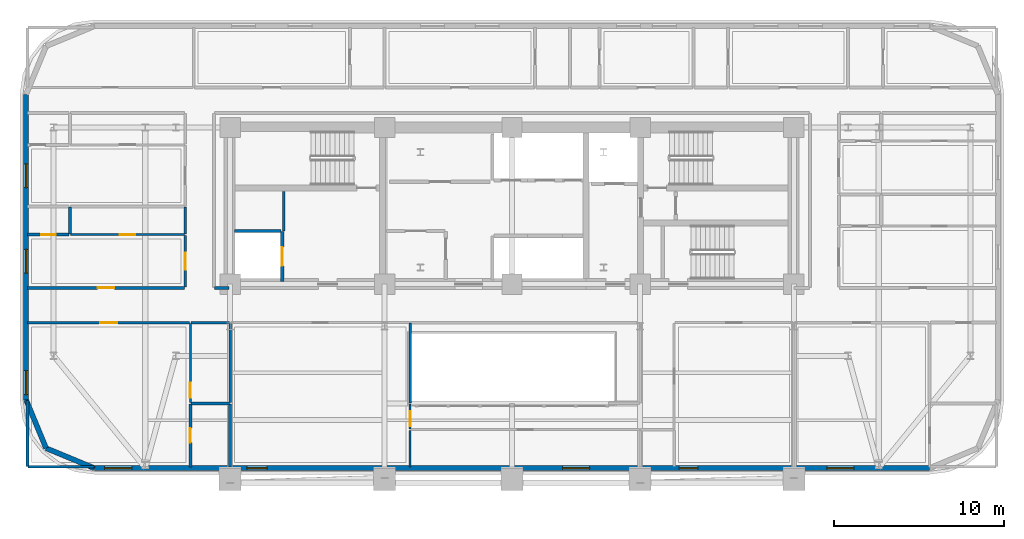
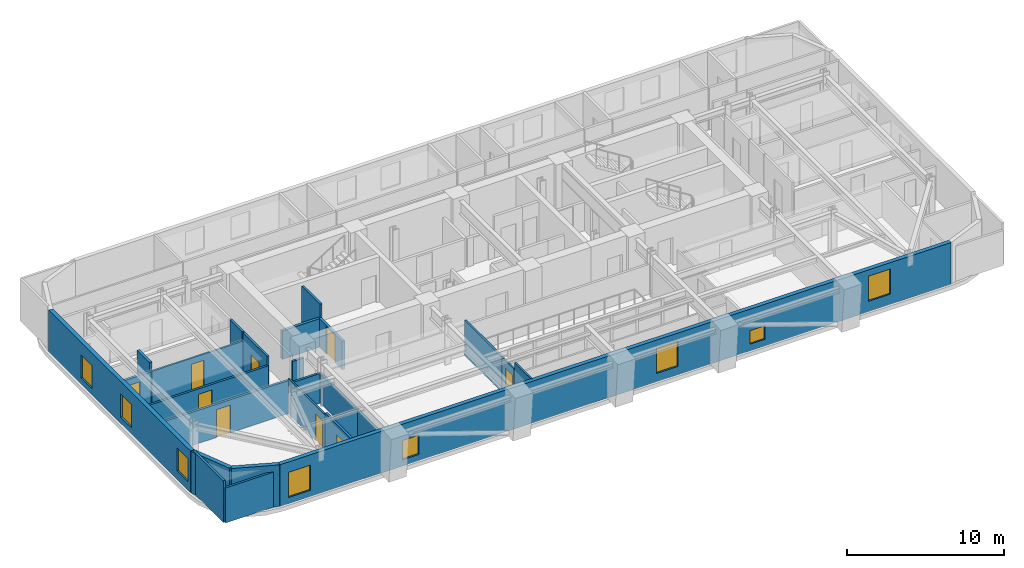
# One storey, part 7 of 14: 26 walls, 9 doors, 8 windows, 17 openings.
"""IFC4 building model written with IfcOpenShell, lengths in metres."""

from ifc_helpers import new_model, si_unit, direction, frame, frame_2d, origin, place, context, subcontext, project, spatial, rectangle, extrude, material, layer, layer_set, type_object, element, fill, save


model = new_model("IFC4")

# Units and contexts
model_context = context("Model", 3, precision=1e-05, world=origin(), true_north=direction((0.0, 1.0)))
body_context = subcontext(model_context, "Body", "Model", "MODEL_VIEW")
ifc_project = project(units=[si_unit("LENGTHUNIT", "METRE"), si_unit("AREAUNIT", "SQUARE_METRE"), si_unit("VOLUMEUNIT", "CUBIC_METRE"), si_unit("PLANEANGLEUNIT", "RADIAN"), si_unit("MASSUNIT", "GRAM", prefix="KILO")], contexts=[model_context])

# Site, building, storey
site_placement = place(None, origin())
site = spatial("IfcSite", under=ifc_project, at=site_placement, CompositionType="ELEMENT")
building_placement = place(site_placement, origin())
building = spatial("IfcBuilding", under=site, at=building_placement, Name="Zarnavel Station Tower", CompositionType="ELEMENT")
storey_placement = place(building_placement, frame((0.0, 0.0, 108.300048828125)))
storey = spatial("IfcBuildingStorey", under=building, at=storey_placement, Name="L29", CompositionType="ELEMENT", Elevation=108.300048828125)

# Wall, openings, windows
ifc_material_1 = material(Name="Precast concrete C45/55 (Dark Basalt Finish)", Category="masonry")
ifc_layer_1 = layer(ifc_material_1, 0.300048828125)
ifc_layer_set_1 = layer_set([ifc_layer_1], Name="EW_BASALT_300")
wall_type_1 = type_object("IfcWallType", Name="EW_BASALT_300", PredefinedType="SOLIDWALL", material=ifc_layer_set_1)
wall_1_placement = place(storey_placement, frame((0.179931640625, 21.0, 0.0), z_axis=(0.0, 0.0, 1.0), x_axis=(0.0, 1.0, 0.0)))
wall_1 = element("IfcWall", 1, at=wall_1_placement, inside=storey, type_object=wall_type_1, Name="L29 Exterior Basalt Masonry Frame Wall 09", PredefinedType="SOLIDWALL", context=body_context, shape_type="SweptSolid", body=[
    extrude(rectangle(XDim=18.0, YDim=0.300048828125, at=frame_2d((9.0, 0.0))), origin(), (0.0, 0.0, 1.0), 3.239990234375),
])
opening_1_placement = place(wall_1_placement, frame((7.470458984375, 0.0, 0.47998046875)))
opening_1 = element("IfcOpeningElement", 2, at=opening_1_placement, cuts=wall_1, Name="Opening WN01", PredefinedType="OPENING", context=body_context, shape_type="SweptSolid", body=[
    extrude(rectangle(XDim=1.39990234375, YDim=1.800048828125, at=frame_2d((0.699951171875, 0.89990234375))), frame((0.0, 0.159912109375, 0.0), z_axis=(0.0, -1.0, 0.0), x_axis=(1.0, 0.0, 0.0)), (0.0, 0.0, 1.0), 0.320068359375),
])
opening_2_placement = place(wall_1_placement, frame((12.509033203125, 0.0, 0.47998046875)))
opening_2 = element("IfcOpeningElement", 3, at=opening_2_placement, cuts=wall_1, Name="Opening WN01", PredefinedType="OPENING", context=body_context, shape_type="SweptSolid", body=[
    extrude(rectangle(XDim=1.39990234375, YDim=1.800048828125, at=frame_2d((0.699951171875, 0.89990234375))), frame((0.0, 0.159912109375, 0.0), z_axis=(0.0, -1.0, 0.0), x_axis=(1.0, 0.0, 0.0)), (0.0, 0.0, 1.0), 0.320068359375),
])
opening_3_placement = place(wall_1_placement, frame((0.320068359375, 0.0, 0.64990234375)))
opening_3 = element("IfcOpeningElement", 4, at=opening_3_placement, cuts=wall_1, Name="Opening WN01", PredefinedType="OPENING", context=body_context, shape_type="SweptSolid", body=[
    extrude(rectangle(XDim=1.39990234375, YDim=1.800048828125, at=frame_2d((0.699951171875, 0.89990234375))), frame((0.0, 0.159912109375, 0.0), z_axis=(0.0, -1.0, 0.0), x_axis=(1.0, 0.0, 0.0)), (0.0, 0.0, 1.0), 0.320068359375),
])
ifc_material_2 = material(Name="Thermally Broken Black Aluminium and Low-E Dark Glass", Category="aluminium")
window_type_1 = type_object("IfcWindowType", Name="WN_1400x1800", PartitioningType="DOUBLE_PANEL_VERTICAL", PredefinedType="WINDOW", material=ifc_material_2)
window_1_placement = place(opening_1_placement, origin())
window_1 = element("IfcWindow", 5, at=window_1_placement, inside=storey, type_object=window_type_1, Name="L29 Recessed Facade Window 01", OverallHeight=1.800048828125, OverallWidth=1.39990234375, PartitioningType="SINGLE_PANEL", PredefinedType="WINDOW", context=body_context, shape_type="SweptSolid", body=[
    extrude(rectangle(XDim=1.39990234375, YDim=1.800048828125, at=frame_2d((0.699951171875, 0.89990234375))), frame((0.0, 0.030029296875, 0.0), z_axis=(0.0, -1.0, 0.0), x_axis=(1.0, 0.0, 0.0)), (0.0, 0.0, 1.0), 0.06005859375),
])
fill(opening_1, window_1)
window_2_placement = place(opening_2_placement, origin())
window_2 = element("IfcWindow", 6, at=window_2_placement, inside=storey, type_object=window_type_1, Name="L29 Recessed Facade Window 02", OverallHeight=1.800048828125, OverallWidth=1.39990234375, PartitioningType="SINGLE_PANEL", PredefinedType="WINDOW", context=body_context, shape_type="SweptSolid", body=[
    extrude(rectangle(XDim=1.39990234375, YDim=1.800048828125, at=frame_2d((0.699951171875, 0.89990234375))), frame((0.0, 0.030029296875, 0.0), z_axis=(0.0, -1.0, 0.0), x_axis=(1.0, 0.0, 0.0)), (0.0, 0.0, 1.0), 0.06005859375),
])
fill(opening_2, window_2)
window_3_placement = place(opening_3_placement, origin())
window_3 = element("IfcWindow", 7, at=window_3_placement, inside=storey, type_object=window_type_1, Name="L29 Recessed Facade Window 03", OverallHeight=1.800048828125, OverallWidth=1.39990234375, PartitioningType="SINGLE_PANEL", PredefinedType="WINDOW", context=body_context, shape_type="SweptSolid", body=[
    extrude(rectangle(XDim=1.39990234375, YDim=1.800048828125, at=frame_2d((0.699951171875, 0.89990234375))), frame((0.0, 0.030029296875, 0.0), z_axis=(0.0, -1.0, 0.0), x_axis=(1.0, 0.0, 0.0)), (0.0, 0.0, 1.0), 0.06005859375),
])
fill(opening_3, window_3)

# Walls
for number, where, z_axis, x_axis, name in (
    (8, (1.357421875, 18.157470703125, 0.0), (0.0, 0.0, 1.0), (-0.382704529509, 0.923870793506, 0.0), "L29 Exterior Basalt Masonry Frame Wall 10"),
    (9, (4.199951171875, 16.97998046875, 0.0), (0.0, 0.0, 1.0), (-0.923870793506, 0.382704529509, 0.0), "L29 Exterior Basalt Masonry Frame Wall 11"),
):
    element("IfcWall", number, at=place(storey_placement, frame(where, z_axis=z_axis, x_axis=x_axis)), inside=storey, type_object=wall_type_1, Name=name, PredefinedType="SOLIDWALL", context=body_context, shape_type="SweptSolid", body=[
        extrude(rectangle(XDim=3.07666015625, YDim=0.300048828125, at=frame_2d((1.538330078125, 0.0))), origin(), (0.0, 0.0, 1.0), 3.239990234375),
    ])

# Wall, openings, windows
wall_2_placement = place(storey_placement, frame((53.39990234375, 16.97998046875, 0.0), z_axis=(0.0, 0.0, 1.0), x_axis=(-1.0, 0.0, 0.0)))
wall_2 = element("IfcWall", 10, at=wall_2_placement, inside=storey, type_object=wall_type_1, Name="L29 Exterior Basalt Masonry Frame Wall 12", PredefinedType="SOLIDWALL", context=body_context, shape_type="SweptSolid", body=[
    extrude(rectangle(XDim=49.199951171875, YDim=0.300048828125, at=frame_2d((24.60009765625, 0.0))), origin(), (0.0, 0.0, 1.0), 3.239990234375),
])
opening_4_placement = place(wall_2_placement, frame((46.990478515625, 0.0, 0.47998046875)))
opening_4 = element("IfcOpeningElement", 11, at=opening_4_placement, cuts=wall_2, Name="Opening WN06", PredefinedType="OPENING", context=body_context, shape_type="SweptSolid", body=[
    extrude(rectangle(XDim=1.60009765625, YDim=1.949951171875, at=frame_2d((0.800048828125, 0.97509765625))), frame((0.0, 0.159912109375, 0.0), z_axis=(0.0, -1.0, 0.0), x_axis=(1.0, 0.0, 0.0)), (0.0, 0.0, 1.0), 0.320068359375),
])
opening_5_placement = place(wall_2_placement, frame((39.019775390625, 0.0, 0.47998046875)))
opening_5 = element("IfcOpeningElement", 12, at=opening_5_placement, cuts=wall_2, Name="Opening WN08", PredefinedType="OPENING", context=body_context, shape_type="SweptSolid", body=[
    extrude(rectangle(XDim=1.199951171875, YDim=1.5, at=frame_2d((0.60009765625, 0.75))), frame((0.0, 0.159912109375, 0.0), z_axis=(0.0, -1.0, 0.0), x_axis=(1.0, 0.0, 0.0)), (0.0, 0.0, 1.0), 0.320068359375),
])
opening_6_placement = place(wall_2_placement, frame((20.02490234375, 0.0, 0.64990234375)))
opening_6 = element("IfcOpeningElement", 13, at=opening_6_placement, cuts=wall_2, Name="Opening WN06", PredefinedType="OPENING", context=body_context, shape_type="SweptSolid", body=[
    extrude(rectangle(XDim=1.60009765625, YDim=1.949951171875, at=frame_2d((0.800048828125, 0.97509765625))), frame((0.0, 0.159912109375, 0.0), z_axis=(0.0, -1.0, 0.0), x_axis=(1.0, 0.0, 0.0)), (0.0, 0.0, 1.0), 0.320068359375),
])
opening_7_placement = place(wall_2_placement, frame((13.64990234375, 0.0, 0.52001953125)))
opening_7 = element("IfcOpeningElement", 14, at=opening_7_placement, cuts=wall_2, Name="Opening WN09", PredefinedType="OPENING", context=body_context, shape_type="SweptSolid", body=[
    extrude(rectangle(XDim=1.10009765625, YDim=1.050048828125, at=frame_2d((0.550048828125, 0.52490234375))), frame((0.0, 0.159912109375, 0.0), z_axis=(0.0, -1.0, 0.0), x_axis=(1.0, 0.0, 0.0)), (0.0, 0.0, 1.0), 0.320068359375),
])
opening_8_placement = place(wall_2_placement, frame((4.460205078125, 0.0, 0.800048828125)))
opening_8 = element("IfcOpeningElement", 15, at=opening_8_placement, cuts=wall_2, Name="Opening WN06", PredefinedType="OPENING", context=body_context, shape_type="SweptSolid", body=[
    extrude(rectangle(XDim=1.60009765625, YDim=1.949951171875, at=frame_2d((0.800048828125, 0.97509765625))), frame((0.0, 0.159912109375, 0.0), z_axis=(0.0, -1.0, 0.0), x_axis=(1.0, 0.0, 0.0)), (0.0, 0.0, 1.0), 0.320068359375),
])
ifc_material_3 = material(Name="Thermally Broken Black Aluminium and Low-E Dark Glass", Category="aluminium")
window_type_2 = type_object("IfcWindowType", Name="WN_1100x1050", PartitioningType="SINGLE_PANEL", PredefinedType="WINDOW", material=ifc_material_3)
window_4_placement = place(opening_7_placement, origin())
window_4 = element("IfcWindow", 16, at=window_4_placement, inside=storey, type_object=window_type_2, Name="L29 Recessed Facade Window 04", OverallHeight=1.050048828125, OverallWidth=1.10009765625, PartitioningType="SINGLE_PANEL", PredefinedType="WINDOW", context=body_context, shape_type="SweptSolid", body=[
    extrude(rectangle(XDim=1.10009765625, YDim=1.050048828125, at=frame_2d((0.550048828125, 0.52490234375))), frame((0.0, 0.030029296875, 0.0), z_axis=(0.0, -1.0, 0.0), x_axis=(1.0, 0.0, 0.0)), (0.0, 0.0, 1.0), 0.06005859375),
])
fill(opening_7, window_4)
ifc_material_4 = material(Name="Thermally Broken Black Aluminium and Low-E Dark Glass", Category="aluminium")
window_type_3 = type_object("IfcWindowType", Name="WN_1200x1500", PartitioningType="SINGLE_PANEL", PredefinedType="WINDOW", material=ifc_material_4)
window_5_placement = place(opening_5_placement, origin())
window_5 = element("IfcWindow", 17, at=window_5_placement, inside=storey, type_object=window_type_3, Name="L29 Recessed Facade Window 02", OverallHeight=1.5, OverallWidth=1.199951171875, PartitioningType="SINGLE_PANEL", PredefinedType="WINDOW", context=body_context, shape_type="SweptSolid", body=[
    extrude(rectangle(XDim=1.199951171875, YDim=1.5, at=frame_2d((0.60009765625, 0.75))), frame((0.0, 0.030029296875, 0.0), z_axis=(0.0, -1.0, 0.0), x_axis=(1.0, 0.0, 0.0)), (0.0, 0.0, 1.0), 0.06005859375),
])
fill(opening_5, window_5)
ifc_material_5 = material(Name="Thermally Broken Black Aluminium and Low-E Dark Glass", Category="aluminium")
window_type_4 = type_object("IfcWindowType", Name="WN_1600x1950", PartitioningType="DOUBLE_PANEL_VERTICAL", PredefinedType="WINDOW", material=ifc_material_5)
window_6_placement = place(opening_4_placement, origin())
window_6 = element("IfcWindow", 18, at=window_6_placement, inside=storey, type_object=window_type_4, Name="L29 Recessed Facade Window 01", OverallHeight=1.949951171875, OverallWidth=1.60009765625, PartitioningType="SINGLE_PANEL", PredefinedType="WINDOW", context=body_context, shape_type="SweptSolid", body=[
    extrude(rectangle(XDim=1.60009765625, YDim=1.949951171875, at=frame_2d((0.800048828125, 0.97509765625))), frame((0.0, 0.030029296875, 0.0), z_axis=(0.0, -1.0, 0.0), x_axis=(1.0, 0.0, 0.0)), (0.0, 0.0, 1.0), 0.06005859375),
])
fill(opening_4, window_6)
window_7_placement = place(opening_6_placement, origin())
window_7 = element("IfcWindow", 19, at=window_7_placement, inside=storey, type_object=window_type_4, Name="L29 Recessed Facade Window 03", OverallHeight=1.949951171875, OverallWidth=1.60009765625, PartitioningType="SINGLE_PANEL", PredefinedType="WINDOW", context=body_context, shape_type="SweptSolid", body=[
    extrude(rectangle(XDim=1.60009765625, YDim=1.949951171875, at=frame_2d((0.800048828125, 0.97509765625))), frame((0.0, 0.030029296875, 0.0), z_axis=(0.0, -1.0, 0.0), x_axis=(1.0, 0.0, 0.0)), (0.0, 0.0, 1.0), 0.06005859375),
])
fill(opening_6, window_7)
window_8_placement = place(opening_8_placement, origin())
window_8 = element("IfcWindow", 20, at=window_8_placement, inside=storey, type_object=window_type_4, Name="L29 Recessed Facade Window 05", OverallHeight=1.949951171875, OverallWidth=1.60009765625, PartitioningType="SINGLE_PANEL", PredefinedType="WINDOW", context=body_context, shape_type="SweptSolid", body=[
    extrude(rectangle(XDim=1.60009765625, YDim=1.949951171875, at=frame_2d((0.800048828125, 0.97509765625))), frame((0.0, 0.030029296875, 0.0), z_axis=(0.0, -1.0, 0.0), x_axis=(1.0, 0.0, 0.0)), (0.0, 0.0, 1.0), 0.06005859375),
])
fill(opening_8, window_8)

# Wall, opening, door
ifc_material_6 = material(Name="Gypsum Twin-Stud Acoustic Fire Partition", Category="concrete")
ifc_layer_2 = layer(ifc_material_6, 0.159912109375)
ifc_layer_set_2 = layer_set([ifc_layer_2], Name="PT_DEMISE_160")
wall_type_2 = type_object("IfcWallType", Name="PT_DEMISE_160", PredefinedType="PARTITIONING", material=ifc_layer_set_2)
wall_3_placement = place(storey_placement, frame((0.260009765625, 27.60009765625, 0.0), z_axis=(0.0, 0.0, 1.0), x_axis=(1.0, 0.0, 0.0)))
wall_3 = element("IfcWall", 21, at=wall_3_placement, inside=storey, type_object=wall_type_2, Name="L29 Partition COR-S-FNW1R", PredefinedType="PARTITIONING", context=body_context, shape_type="SweptSolid", body=[
    extrude(rectangle(XDim=9.25, YDim=0.159912109375, at=frame_2d((4.625, 0.0))), origin(), (0.0, 0.0, 1.0), 2.570068359375),
])
opening_9_placement = place(wall_3_placement, frame((4.125, 0.0, 0.0)))
opening_9 = element("IfcOpeningElement", 22, at=opening_9_placement, cuts=wall_3, Name="Opening FD02", PredefinedType="OPENING", context=body_context, shape_type="SweptSolid", body=[
    extrude(rectangle(XDim=1.0, YDim=2.14990234375, at=frame_2d((0.5, 1.074951171875))), frame((0.0, 0.08984375, 0.0), z_axis=(0.0, -1.0, 0.0), x_axis=(1.0, 0.0, 0.0)), (0.0, 0.0, 1.0), 0.179931640625),
])
ifc_material_7 = material(Name="Painted Galvanised Steel and Hardwood Leaf", Category="steel")
door_type_1 = type_object("IfcDoorType", Name="ID_ENTRY_1000", OperationType="NOTDEFINED", PredefinedType="DOOR", material=ifc_material_7)
door_1_placement = place(opening_9_placement, origin())
door_1 = element("IfcDoor", 23, at=door_1_placement, inside=storey, type_object=door_type_1, Name="L29 Door COR-S-FNW1R", OperationType="SINGLE_SWING_LEFT", OverallHeight=2.14990234375, OverallWidth=1.0, PredefinedType="DOOR", context=body_context, shape_type="SweptSolid", body=[
    extrude(rectangle(XDim=1.0, YDim=2.14990234375, at=frame_2d((0.5, 1.074951171875))), frame((0.0, 0.02490234375, 0.0), z_axis=(0.0, -1.0, 0.0), x_axis=(1.0, 0.0, 0.0)), (0.0, 0.0, 1.0), 0.050048828125),
])
fill(opening_9, door_1)

wall_4_placement = place(storey_placement, frame((0.260009765625, 25.550048828125, 0.0), z_axis=(0.0, 0.0, 1.0), x_axis=(1.0, 0.0, 0.0)))
wall_4 = element("IfcWall", 24, at=wall_4_placement, inside=storey, type_object=wall_type_2, Name="L29 Partition COR-S-HW1R", PredefinedType="PARTITIONING", context=body_context, shape_type="SweptSolid", body=[
    extrude(rectangle(XDim=9.550048828125, YDim=0.159912109375, at=frame_2d((4.77490234375, 0.0))), origin(), (0.0, 0.0, 1.0), 2.570068359375),
])
opening_10_placement = place(wall_4_placement, frame((4.27490234375, 0.0, 0.0)))
opening_10 = element("IfcOpeningElement", 25, at=opening_10_placement, cuts=wall_4, Name="Opening FD02", PredefinedType="OPENING", context=body_context, shape_type="SweptSolid", body=[
    extrude(rectangle(XDim=1.0, YDim=2.14990234375, at=frame_2d((0.5, 1.074951171875))), frame((0.0, 0.08984375, 0.0), z_axis=(0.0, -1.0, 0.0), x_axis=(1.0, 0.0, 0.0)), (0.0, 0.0, 1.0), 0.179931640625),
])
door_2_placement = place(opening_10_placement, origin())
door_2 = element("IfcDoor", 26, at=door_2_placement, inside=storey, type_object=door_type_1, Name="L29 Door COR-S-HW1R", OperationType="SINGLE_SWING_LEFT", OverallHeight=2.14990234375, OverallWidth=1.0, PredefinedType="DOOR", context=body_context, shape_type="SweptSolid", body=[
    extrude(rectangle(XDim=1.0, YDim=2.14990234375, at=frame_2d((0.5, 1.074951171875))), frame((0.0, 0.02490234375, 0.0), z_axis=(0.0, -1.0, 0.0), x_axis=(1.0, 0.0, 0.0)), (0.0, 0.0, 1.0), 0.050048828125),
])
fill(opening_10, door_2)

# Wall
wall_5_placement = place(storey_placement, frame((9.889892578125, 25.550048828125, 0.0), z_axis=(0.0, 0.0, 1.0), x_axis=(1.0, 0.0, 0.0)))
element("IfcWall", 27, at=wall_5_placement, inside=storey, type_object=wall_type_2, Name="L29 Partition COR-S-HW1S", PredefinedType="PARTITIONING", context=body_context, shape_type="SweptSolid", body=[
    extrude(rectangle(XDim=2.27001953125, YDim=0.159912109375, at=frame_2d((1.135009765625, 0.0))), origin(), (0.0, 0.0, 1.0), 2.31005859375),
])

# Wall, opening, door
wall_6_placement = place(storey_placement, frame((9.550048828125, 27.639892578125, 0.0), z_axis=(0.0, 0.0, 1.0), x_axis=(0.0, 1.0, 0.0)))
wall_6 = element("IfcWall", 28, at=wall_6_placement, inside=storey, type_object=wall_type_2, Name="L29 Partition COR-W-FNW1R", PredefinedType="PARTITIONING", context=body_context, shape_type="SweptSolid", body=[
    extrude(rectangle(XDim=3.06103515625, YDim=0.159912109375, at=frame_2d((1.530517578125, 0.0))), origin(), (0.0, 0.0, 1.0), 3.239990234375),
])
opening_11_placement = place(wall_6_placement, frame((1.030517578125, 0.0, 0.0)))
opening_11 = element("IfcOpeningElement", 29, at=opening_11_placement, cuts=wall_6, Name="Opening FD02", PredefinedType="OPENING", context=body_context, shape_type="SweptSolid", body=[
    extrude(rectangle(XDim=1.0, YDim=2.14990234375, at=frame_2d((0.5, 1.074951171875))), frame((0.0, 0.08984375, 0.0), z_axis=(0.0, -1.0, 0.0), x_axis=(1.0, 0.0, 0.0)), (0.0, 0.0, 1.0), 0.179931640625),
])
door_3_placement = place(opening_11_placement, origin())
door_3 = element("IfcDoor", 30, at=door_3_placement, inside=storey, type_object=door_type_1, Name="L29 Door COR-W-FNW1R", OperationType="SINGLE_SWING_RIGHT", OverallHeight=2.14990234375, OverallWidth=1.0, PredefinedType="DOOR", context=body_context, shape_type="SweptSolid", body=[
    extrude(rectangle(XDim=1.0, YDim=2.14990234375, at=frame_2d((0.5, 1.074951171875))), frame((0.0, 0.02490234375, 0.0), z_axis=(0.0, -1.0, 0.0), x_axis=(1.0, 0.0, 0.0)), (0.0, 0.0, 1.0), 0.050048828125),
])
fill(opening_11, door_3)

# Walls
wall_7_placement = place(storey_placement, frame((9.550048828125, 30.781005859375, 0.0), z_axis=(0.0, 0.0, 1.0), x_axis=(0.0, 1.0, 0.0)))
element("IfcWall", 31, at=wall_7_placement, inside=storey, type_object=wall_type_2, Name="L29 Partition COR-W-FNW1S", PredefinedType="PARTITIONING", context=body_context, shape_type="SweptSolid", body=[
    extrude(rectangle(XDim=1.570068359375, YDim=0.159912109375, at=frame_2d((0.78515625, 0.0))), origin(), (0.0, 0.0, 1.0), 3.239990234375),
])
wall_8_placement = place(storey_placement, frame((12.199951171875, 20.8359375, 0.0), z_axis=(0.0, 0.0, 1.0), x_axis=(0.0, 1.0, 0.0)))
element("IfcWall", 32, at=wall_8_placement, inside=storey, type_object=wall_type_2, Name="L29 Partition HW1S-L29STD", PredefinedType="PARTITIONING", context=body_context, shape_type="SweptSolid", body=[
    extrude(rectangle(XDim=4.674072265625, YDim=0.159912109375, at=frame_2d((2.3369140625, 0.0))), origin(), (0.0, 0.0, 1.0), 2.31005859375),
])
wall_9_placement = place(storey_placement, frame((15.35009765625, 30.9599609375, 0.0), z_axis=(0.0, 0.0, 1.0), x_axis=(0.0, 1.0, 0.0)))
element("IfcWall", 33, at=wall_9_placement, inside=storey, type_object=wall_type_2, Name="L29 Enclosure Wall FFL1", PredefinedType="PARTITIONING", context=body_context, shape_type="SweptSolid", body=[
    extrude(rectangle(XDim=2.31005859375, YDim=0.159912109375, at=frame_2d((1.155029296875, 0.0))), origin(), (0.0, 0.0, 1.0), 3.239990234375),
])
wall_10_placement = place(storey_placement, frame((11.280029296875, 27.60009765625, 0.0), z_axis=(0.0, 0.0, 1.0), x_axis=(1.0, 0.0, 0.0)))
element("IfcWall", 34, at=wall_10_placement, inside=storey, type_object=wall_type_2, Name="L29 Enclosure Wall COR-S", PredefinedType="PARTITIONING", context=body_context, shape_type="SweptSolid", body=[
    extrude(rectangle(XDim=0.840087890625, YDim=0.159912109375, at=frame_2d((0.419921875, 0.0))), origin(), (0.0, 0.0, 1.0), 2.280029296875),
])
wall_11_placement = place(storey_placement, frame((0.2900390625, 17.06005859375, 0.0), z_axis=(0.0, 0.0, 1.0), x_axis=(1.0, 0.0, 0.0)))
element("IfcWall", 35, at=wall_11_placement, inside=storey, type_object=wall_type_2, Name="L29 Enclosure Wall HW1R", PredefinedType="PARTITIONING", context=body_context, shape_type="SweptSolid", body=[
    extrude(rectangle(XDim=3.8798828125, YDim=0.159912109375, at=frame_2d((1.93994140625, 0.0))), origin(), (0.0, 0.0, 1.0), 2.719970703125),
])
wall_12_placement = place(storey_placement, frame((0.260009765625, 17.090087890625, 0.0), z_axis=(0.0, 0.0, 1.0), x_axis=(0.0, 1.0, 0.0)))
element("IfcWall", 36, at=wall_12_placement, inside=storey, type_object=wall_type_2, Name="L29 Enclosure Wall HW1R", PredefinedType="PARTITIONING", context=body_context, shape_type="SweptSolid", body=[
    extrude(rectangle(XDim=3.8798828125, YDim=0.159912109375, at=frame_2d((1.93994140625, 0.0))), origin(), (0.0, 0.0, 1.0), 3.239990234375),
])
wall_13_placement = place(storey_placement, frame((22.800048828125, 20.830078125, 0.0), z_axis=(0.0, 0.0, 1.0), x_axis=(0.0, 1.0, 0.0)))
element("IfcWall", 37, at=wall_13_placement, inside=storey, type_object=wall_type_2, Name="L29 Enclosure Wall L29STD", PredefinedType="PARTITIONING", context=body_context, shape_type="SweptSolid", body=[
    extrude(rectangle(XDim=4.68994140625, YDim=0.159912109375, at=frame_2d((2.344970703125, 0.0))), origin(), (0.0, 0.0, 1.0), 2.679931640625),
])

# Wall, opening, door
ifc_material_8 = material(Name="Gypsum Metal-Stud Interior Partition", Category="concrete")
ifc_layer_3 = layer(ifc_material_8, 0.1201171875)
ifc_layer_set_3 = layer_set([ifc_layer_3], Name="PT_ROOM_120")
wall_type_3 = type_object("IfcWallType", Name="PT_ROOM_120", PredefinedType="PARTITIONING", material=ifc_layer_set_3)
wall_14_placement = place(storey_placement, frame((22.800048828125, 19.2900390625, 0.0), z_axis=(0.0, 0.0, 1.0), x_axis=(0.0, 1.0, 0.0)))
wall_14 = element("IfcWall", 38, at=wall_14_placement, inside=storey, type_object=wall_type_3, Name="L29 Partition COR-AS-L29STD", PredefinedType="PARTITIONING", context=body_context, shape_type="SweptSolid", body=[
    extrude(rectangle(XDim=1.469970703125, YDim=0.1201171875, at=frame_2d((0.73486328125, 0.0))), origin(), (0.0, 0.0, 1.0), 2.679931640625),
])
opening_12_placement = place(wall_14_placement, frame((0.152099609375, 0.0, 0.0)))
opening_12 = element("IfcOpeningElement", 39, at=opening_12_placement, cuts=wall_14, Name="Opening ID01", PredefinedType="OPENING", context=body_context, shape_type="SweptSolid", body=[
    extrude(rectangle(XDim=0.89990234375, YDim=2.10009765625, at=frame_2d((0.449951171875, 1.050048828125))), frame((0.0, 0.070068359375, 0.0), z_axis=(0.0, -1.0, 0.0), x_axis=(1.0, 0.0, 0.0)), (0.0, 0.0, 1.0), 0.14013671875),
])
ifc_material_9 = material(Name="Painted Galvanised Steel and Hardwood Leaf", Category="steel")
door_type_2 = type_object("IfcDoorType", Name="ID_ROOM_900", OperationType="NOTDEFINED", PredefinedType="DOOR", material=ifc_material_9)
door_4_placement = place(opening_12_placement, origin())
door_4 = element("IfcDoor", 40, at=door_4_placement, inside=storey, type_object=door_type_2, Name="L29 Door COR-AS-L29STD", OperationType="SINGLE_SWING_LEFT", OverallHeight=2.10009765625, OverallWidth=0.89990234375, PredefinedType="DOOR", context=body_context, shape_type="SweptSolid", body=[
    extrude(rectangle(XDim=0.89990234375, YDim=2.10009765625, at=frame_2d((0.449951171875, 1.050048828125))), frame((0.0, 0.02490234375, 0.0), z_axis=(0.0, -1.0, 0.0), x_axis=(1.0, 0.0, 0.0)), (0.0, 0.0, 1.0), 0.050048828125),
])
fill(opening_12, door_4)

wall_15_placement = place(storey_placement, frame((2.800048828125, 30.740966796875, 0.0), z_axis=(0.0, 0.0, 1.0), x_axis=(1.0, 0.0, 0.0)))
wall_15 = element("IfcWall", 41, at=wall_15_placement, inside=storey, type_object=wall_type_3, Name="L29 Partition FNW1R-FNW1S", PredefinedType="PARTITIONING", context=body_context, shape_type="SweptSolid", body=[
    extrude(rectangle(XDim=6.7099609375, YDim=0.1201171875, at=frame_2d((3.35498046875, 0.0))), origin(), (0.0, 0.0, 1.0), 2.570068359375),
])
opening_13_placement = place(wall_15_placement, frame((2.905029296875, 0.0, 0.0)))
opening_13 = element("IfcOpeningElement", 42, at=opening_13_placement, cuts=wall_15, Name="Opening ID01", PredefinedType="OPENING", context=body_context, shape_type="SweptSolid", body=[
    extrude(rectangle(XDim=0.89990234375, YDim=2.10009765625, at=frame_2d((0.449951171875, 1.050048828125))), frame((0.0, 0.070068359375, 0.0), z_axis=(0.0, -1.0, 0.0), x_axis=(1.0, 0.0, 0.0)), (0.0, 0.0, 1.0), 0.14013671875),
])
door_5_placement = place(opening_13_placement, origin())
door_5 = element("IfcDoor", 43, at=door_5_placement, inside=storey, type_object=door_type_2, Name="L29 Door FNW1R-FNW1S", OperationType="SINGLE_SWING_RIGHT", OverallHeight=2.10009765625, OverallWidth=0.89990234375, PredefinedType="DOOR", context=body_context, shape_type="SweptSolid", body=[
    extrude(rectangle(XDim=0.89990234375, YDim=2.10009765625, at=frame_2d((0.449951171875, 1.050048828125))), frame((0.0, 0.02490234375, 0.0), z_axis=(0.0, -1.0, 0.0), x_axis=(1.0, 0.0, 0.0)), (0.0, 0.0, 1.0), 0.050048828125),
])
fill(opening_13, door_5)

wall_16_placement = place(storey_placement, frame((9.85009765625, 20.8359375, 0.0), z_axis=(0.0, 0.0, 1.0), x_axis=(0.0, 1.0, 0.0)))
wall_16 = element("IfcWall", 44, at=wall_16_placement, inside=storey, type_object=wall_type_3, Name="L29 Partition HW1R-HW1S", PredefinedType="PARTITIONING", context=body_context, shape_type="SweptSolid", body=[
    extrude(rectangle(XDim=4.674072265625, YDim=0.1201171875, at=frame_2d((2.3369140625, 0.0))), origin(), (0.0, 0.0, 1.0), 2.719970703125),
])
opening_14_placement = place(wall_16_placement, frame((0.28564453125, 0.0, 0.0)))
opening_14 = element("IfcOpeningElement", 45, at=opening_14_placement, cuts=wall_16, Name="Opening ID01", PredefinedType="OPENING", context=body_context, shape_type="SweptSolid", body=[
    extrude(rectangle(XDim=0.89990234375, YDim=2.10009765625, at=frame_2d((0.449951171875, 1.050048828125))), frame((0.0, 0.070068359375, 0.0), z_axis=(0.0, -1.0, 0.0), x_axis=(1.0, 0.0, 0.0)), (0.0, 0.0, 1.0), 0.14013671875),
])
door_6_placement = place(opening_14_placement, origin())
door_6 = element("IfcDoor", 46, at=door_6_placement, inside=storey, type_object=door_type_2, Name="L29 Door HW1R-HW1S", OperationType="SINGLE_SWING_LEFT", OverallHeight=2.10009765625, OverallWidth=0.89990234375, PredefinedType="DOOR", context=body_context, shape_type="SweptSolid", body=[
    extrude(rectangle(XDim=0.89990234375, YDim=2.10009765625, at=frame_2d((0.449951171875, 1.050048828125))), frame((0.0, 0.02490234375, 0.0), z_axis=(0.0, -1.0, 0.0), x_axis=(1.0, 0.0, 0.0)), (0.0, 0.0, 1.0), 0.050048828125),
])
fill(opening_14, door_6)

# Wall
wall_17_placement = place(storey_placement, frame((22.800048828125, 17.06005859375, 0.0), z_axis=(0.0, 0.0, 1.0), x_axis=(0.0, 1.0, 0.0)))
element("IfcWall", 47, at=wall_17_placement, inside=storey, type_object=wall_type_3, Name="L29 Partition L29STD-L29GYM", PredefinedType="PARTITIONING", context=body_context, shape_type="SweptSolid", body=[
    extrude(rectangle(XDim=2.14990234375, YDim=0.1201171875, at=frame_2d((1.074951171875, 0.0))), origin(), (0.0, 0.0, 1.0), 3.239990234375),
])

# Wall, opening, door
ifc_material_10 = material(Name="Precast concrete C45/55 (Fire Shaft Blockwork)", Category="masonry")
ifc_layer_4 = layer(ifc_material_10, 0.199951171875)
ifc_layer_set_4 = layer_set([ifc_layer_4], Name="PT_SHAFT_200")
wall_type_4 = type_object("IfcWallType", Name="PT_SHAFT_200", PredefinedType="PARTITIONING", material=ifc_layer_set_4)
wall_18_placement = place(storey_placement, frame((15.27001953125, 27.969970703125, 0.0), z_axis=(0.0, 0.0, 1.0), x_axis=(0.0, 1.0, 0.0)))
wall_18 = element("IfcWall", 48, at=wall_18_placement, inside=storey, type_object=wall_type_4, Name="L29 Lift FFL-01 Shaft Front Wall", PredefinedType="PARTITIONING", context=body_context, shape_type="SweptSolid", body=[
    extrude(rectangle(XDim=2.9599609375, YDim=0.199951171875, at=frame_2d((1.47998046875, 0.0))), origin(), (0.0, 0.0, 1.0), 2.2119140625),
])
opening_15_placement = place(wall_18_placement, frame((0.929931640625, 0.0, 0.0)))
opening_15 = element("IfcOpeningElement", 49, at=opening_15_placement, cuts=wall_18, Name="Opening LD01", PredefinedType="OPENING", context=body_context, shape_type="SweptSolid", body=[
    extrude(rectangle(XDim=1.10009765625, YDim=2.14990234375, at=frame_2d((0.550048828125, 1.074951171875))), frame((0.0, 0.10986328125, 0.0), z_axis=(0.0, -1.0, 0.0), x_axis=(1.0, 0.0, 0.0)), (0.0, 0.0, 1.0), 0.219970703125),
])
ifc_material_11 = material(Name="Painted Galvanised Steel and Hardwood Leaf", Category="steel")
door_type_3 = type_object("IfcDoorType", Name="LD_FF_1100", OperationType="DOUBLE_DOOR_SLIDING", PredefinedType="DOOR", material=ifc_material_11)
door_7_placement = place(opening_15_placement, origin())
door_7 = element("IfcDoor", 50, at=door_7_placement, inside=storey, type_object=door_type_3, Name="L29 Lift FFL-01 Sliding Landing Door", OperationType="DOUBLE_DOOR_SLIDING", OverallHeight=2.14990234375, OverallWidth=1.10009765625, PredefinedType="DOOR", context=body_context, shape_type="SweptSolid", body=[
    extrude(rectangle(XDim=1.10009765625, YDim=2.14990234375, at=frame_2d((0.550048828125, 1.074951171875))), frame((0.0, 0.02490234375, 0.0), z_axis=(0.0, -1.0, 0.0), x_axis=(1.0, 0.0, 0.0)), (0.0, 0.0, 1.0), 0.050048828125),
])
fill(opening_15, door_7)

# Wall
wall_19_placement = place(storey_placement, frame((12.449951171875, 30.949951171875, 0.0), z_axis=(0.0, 0.0, 1.0), x_axis=(1.0, 0.0, 0.0)))
element("IfcWall", 51, at=wall_19_placement, inside=storey, type_object=wall_type_4, Name="L29 Lift FFL-01 North Shaft Wall", PredefinedType="PARTITIONING", context=body_context, shape_type="SweptSolid", body=[
    extrude(rectangle(XDim=2.75, YDim=0.199951171875, at=frame_2d((1.375, 0.0))), origin(), (0.0, 0.0, 1.0), 2.2119140625),
])

# Wall, opening, door
ifc_material_12 = material(Name="Moisture-Resistant Plumbing Chase Wall", Category="concrete")
ifc_layer_5 = layer(ifc_material_12, 0.179931640625)
ifc_layer_set_5 = layer_set([ifc_layer_5], Name="PW_PLUMB_180")
wall_type_5 = type_object("IfcWallType", Name="PW_PLUMB_180", PredefinedType="PLUMBINGWALL", material=ifc_layer_set_5)
wall_20_placement = place(storey_placement, frame((0.260009765625, 30.740966796875, 0.0), z_axis=(0.0, 0.0, 1.0), x_axis=(1.0, 0.0, 0.0)))
wall_20 = element("IfcWall", 52, at=wall_20_placement, inside=storey, type_object=wall_type_5, Name="L29 Partition FNW1R-FNW1B", PredefinedType="PLUMBINGWALL", context=body_context, shape_type="SweptSolid", body=[
    extrude(rectangle(XDim=2.4599609375, YDim=0.179931640625, at=frame_2d((1.22998046875, 0.0))), origin(), (0.0, 0.0, 1.0), 2.570068359375),
])
opening_16_placement = place(wall_20_placement, frame((0.804931640625, 0.0, 0.0)))
opening_16 = element("IfcOpeningElement", 53, at=opening_16_placement, cuts=wall_20, Name="Opening ID02", PredefinedType="OPENING", context=body_context, shape_type="SweptSolid", body=[
    extrude(rectangle(XDim=0.85009765625, YDim=2.10009765625, at=frame_2d((0.425048828125, 1.050048828125))), frame((0.0, 0.099853515625, 0.0), z_axis=(0.0, -1.0, 0.0), x_axis=(1.0, 0.0, 0.0)), (0.0, 0.0, 1.0), 0.199951171875),
])
ifc_material_13 = material(Name="Painted Galvanised Steel and Hardwood Leaf", Category="steel")
door_type_4 = type_object("IfcDoorType", Name="ID_BATH_850", OperationType="NOTDEFINED", PredefinedType="DOOR", material=ifc_material_13)
door_8_placement = place(opening_16_placement, origin())
door_8 = element("IfcDoor", 54, at=door_8_placement, inside=storey, type_object=door_type_4, Name="L29 Door FNW1R-FNW1B", OperationType="SINGLE_SWING_LEFT", OverallHeight=2.10009765625, OverallWidth=0.85009765625, PredefinedType="DOOR", context=body_context, shape_type="SweptSolid", body=[
    extrude(rectangle(XDim=0.85009765625, YDim=2.10009765625, at=frame_2d((0.425048828125, 1.050048828125))), frame((0.0, 0.02490234375, 0.0), z_axis=(0.0, -1.0, 0.0), x_axis=(1.0, 0.0, 0.0)), (0.0, 0.0, 1.0), 0.050048828125),
])
fill(opening_16, door_8)

# Wall
wall_21_placement = place(storey_placement, frame((2.760009765625, 30.781005859375, 0.0), z_axis=(0.0, 0.0, 1.0), x_axis=(0.0, 1.0, 0.0)))
element("IfcWall", 55, at=wall_21_placement, inside=storey, type_object=wall_type_5, Name="L29 Partition FNW1B-FNW1S", PredefinedType="PLUMBINGWALL", context=body_context, shape_type="SweptSolid", body=[
    extrude(rectangle(XDim=1.570068359375, YDim=0.179931640625, at=frame_2d((0.78515625, 0.0))), origin(), (0.0, 0.0, 1.0), 3.239990234375),
])

# Wall, opening, door
wall_22_placement = place(storey_placement, frame((9.85009765625, 17.06005859375, 0.0), z_axis=(0.0, 0.0, 1.0), x_axis=(0.0, 1.0, 0.0)))
wall_22 = element("IfcWall", 56, at=wall_22_placement, inside=storey, type_object=wall_type_5, Name="L29 Partition HW1R-HW1B", PredefinedType="PLUMBINGWALL", context=body_context, shape_type="SweptSolid", body=[
    extrude(rectangle(XDim=3.696044921875, YDim=0.179931640625, at=frame_2d((1.84814453125, 0.0))), origin(), (0.0, 0.0, 1.0), 2.919921875),
])
opening_17_placement = place(wall_22_placement, frame((1.423095703125, 0.0, 0.0)))
opening_17 = element("IfcOpeningElement", 57, at=opening_17_placement, cuts=wall_22, Name="Opening ID02", PredefinedType="OPENING", context=body_context, shape_type="SweptSolid", body=[
    extrude(rectangle(XDim=0.85009765625, YDim=2.10009765625, at=frame_2d((0.425048828125, 1.050048828125))), frame((0.0, 0.099853515625, 0.0), z_axis=(0.0, -1.0, 0.0), x_axis=(1.0, 0.0, 0.0)), (0.0, 0.0, 1.0), 0.199951171875),
])
door_9_placement = place(opening_17_placement, origin())
door_9 = element("IfcDoor", 58, at=door_9_placement, inside=storey, type_object=door_type_4, Name="L29 Door HW1R-HW1B", OperationType="SINGLE_SWING_RIGHT", OverallHeight=2.10009765625, OverallWidth=0.85009765625, PredefinedType="DOOR", context=body_context, shape_type="SweptSolid", body=[
    extrude(rectangle(XDim=0.85009765625, YDim=2.10009765625, at=frame_2d((0.425048828125, 1.050048828125))), frame((0.0, 0.02490234375, 0.0), z_axis=(0.0, -1.0, 0.0), x_axis=(1.0, 0.0, 0.0)), (0.0, 0.0, 1.0), 0.050048828125),
])
fill(opening_17, door_9)

# Walls
wall_23_placement = place(storey_placement, frame((9.889892578125, 20.7958984375, 0.0), z_axis=(0.0, 0.0, 1.0), x_axis=(1.0, 0.0, 0.0)))
element("IfcWall", 59, at=wall_23_placement, inside=storey, type_object=wall_type_5, Name="L29 Partition HW1B-HW1S", PredefinedType="PLUMBINGWALL", context=body_context, shape_type="SweptSolid", body=[
    extrude(rectangle(XDim=2.27001953125, YDim=0.179931640625, at=frame_2d((1.135009765625, 0.0))), origin(), (0.0, 0.0, 1.0), 2.31005859375),
])
wall_24_placement = place(storey_placement, frame((12.199951171875, 17.06005859375, 0.0), z_axis=(0.0, 0.0, 1.0), x_axis=(0.0, 1.0, 0.0)))
element("IfcWall", 60, at=wall_24_placement, inside=storey, type_object=wall_type_5, Name="L29 Partition HW1B-L29STD", PredefinedType="PLUMBINGWALL", context=body_context, shape_type="SweptSolid", body=[
    extrude(rectangle(XDim=3.696044921875, YDim=0.179931640625, at=frame_2d((1.84814453125, 0.0))), origin(), (0.0, 0.0, 1.0), 2.31005859375),
])

save(model, "model.ifc")
